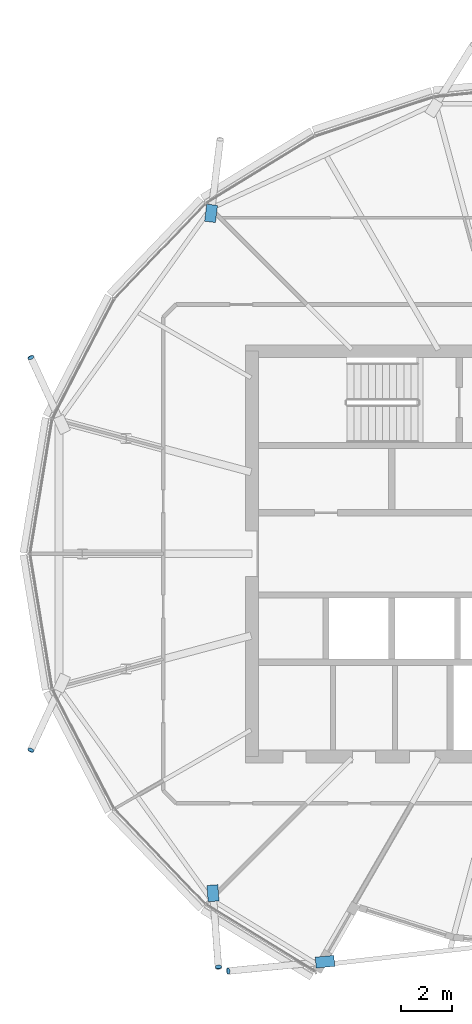
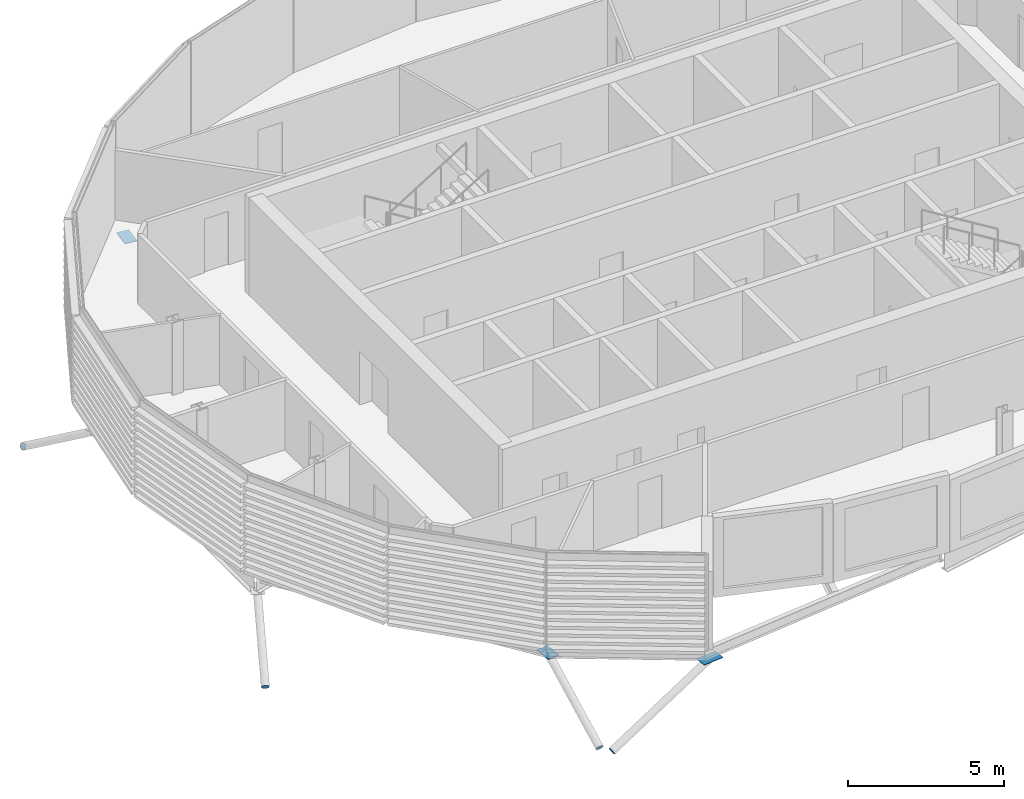
# One storey, part 25 of 35: 7 discrete accessories.
"""IFC4 building model written with IfcOpenShell, lengths in metres."""

import ifcopenshell
import ifcopenshell.guid

model = None  # the IFC model being written
_history = None  # IfcOwnerHistory: only IFC2X3 demands one
_inside = {}  # id of a spatial element -> (the spatial element, [elements in it])
_under = {}  # id of a project, library or spatial element -> (it, [spatial elements below it])
_declared = {}  # id of a project -> (the project, [libraries it declares])
_typed = {}  # id of a type object -> (the type object, [elements of that type])
_made_of = {}  # id of a material, layer set ... -> (it, [elements and type objects made of it])


def new_model(schema):
    """Start an empty IFC model of exactly this schema.

    Asked for "IFC4X3", IfcOpenShell would pick the latest addendum, in which some entities
    have other attributes; the version numbers below select the first issue.
    IFC2X3 requires an IfcOwnerHistory on every rooted entity: one is made here for all.
    """
    global model, _history
    if schema == "IFC4X3":
        model = ifcopenshell.file(schema_version=(4, 3, 0, 0))
    else:
        model = ifcopenshell.file(schema=schema)
    _inside.clear()
    _under.clear()
    _declared.clear()
    _typed.clear()
    _made_of.clear()
    _history = None
    if model.schema == "IFC2X3":
        org = make("IfcOrganization", Name="unknown")
        user = make(
            "IfcPersonAndOrganization",
            ThePerson=make("IfcPerson", FamilyName="unknown"),
            TheOrganization=org,
        )
        app = make(
            "IfcApplication",
            ApplicationDeveloper=org,
            Version="unknown",
            ApplicationFullName="unknown",
            ApplicationIdentifier="unknown",
        )
        _history = make(
            "IfcOwnerHistory",
            OwningUser=user,
            OwningApplication=app,
            ChangeAction="ADDED",
            CreationDate=0,
        )
    return model


def make(cls, **values):
    """One entity of the class cls with the attributes given. An attribute that is None is left unset."""
    return model.create_entity(
        cls, **{name: value for name, value in values.items() if value is not None}
    )


def rooted(cls, **values):
    """An entity with a GlobalId (a new one), such as an element, a storey or a relation."""
    return make(cls, GlobalId=ifcopenshell.guid.new(), OwnerHistory=_history, **values)


def si_unit(unit_type, name, prefix=None):
    """IfcSIUnit, for example si_unit("LENGTHUNIT", "METRE", prefix="MILLI")."""
    return make("IfcSIUnit", UnitType=unit_type, Prefix=prefix, Name=name)


def assignment(units):
    """IfcUnitAssignment: the units of a project."""
    return None if units is None else make("IfcUnitAssignment", Units=units)


def point(xyz):
    """IfcCartesianPoint."""
    return None if xyz is None else make("IfcCartesianPoint", Coordinates=xyz)


def direction(xyz):
    """IfcDirection."""
    return None if xyz is None else make("IfcDirection", DirectionRatios=xyz)


def frame(location, z_axis=None, x_axis=None):
    """IfcAxis2Placement3D, a coordinate frame: its origin and axes. An axis left out is left unset."""
    return make(
        "IfcAxis2Placement3D",
        Location=point(location),
        Axis=direction(z_axis),
        RefDirection=direction(x_axis),
    )


def frame_2d(location, x_axis=None):
    """IfcAxis2Placement2D, a coordinate frame in the plane: its origin and x axis."""
    return make(
        "IfcAxis2Placement2D", Location=point(location), RefDirection=direction(x_axis)
    )


def origin():
    """The frame at (0, 0, 0) with its axes left unset."""
    return frame((0.0, 0.0, 0.0))


def origin_2d():
    """The frame at (0, 0) in the plane with its x axis left unset."""
    return frame_2d((0.0, 0.0))


def place(relative_to, where):
    """IfcLocalPlacement: puts the frame where relative to a parent placement (None: the world)."""
    return make(
        "IfcLocalPlacement", PlacementRelTo=relative_to, RelativePlacement=where
    )


def context(
    kind, dimensions, precision=None, world=None, true_north=None, identifier=None
):
    """IfcGeometricRepresentationContext, for example the 3D "Model" context."""
    return make(
        "IfcGeometricRepresentationContext",
        ContextIdentifier=identifier,
        ContextType=kind,
        CoordinateSpaceDimension=dimensions,
        Precision=precision,
        WorldCoordinateSystem=world,
        TrueNorth=true_north,
    )


def subcontext(parent, identifier, kind, view, scale=None):
    """IfcGeometricRepresentationSubContext, for example "Body" below "Model"."""
    return make(
        "IfcGeometricRepresentationSubContext",
        ContextIdentifier=identifier,
        ContextType=kind,
        ParentContext=parent,
        TargetScale=scale,
        TargetView=view,
    )


def project(units=None, contexts=None):
    """IfcProject with its units and contexts."""
    return rooted(
        "IfcProject",
        Name="project",
        RepresentationContexts=contexts,
        UnitsInContext=assignment(units),
    )


def spatial(cls, under=None, at=None, **own):
    """A site, building, storey or space (cls), placed at a placement, below another one or the project."""
    s = rooted(cls, ObjectPlacement=at, **own)
    if under is not None:
        _under.setdefault(under.id(), (under, []))[1].append(s)
    return s


def polyline(points):
    """IfcPolyline through the points."""
    return make("IfcPolyline", Points=[point(p) for p in points])


def profile(cls, at=None, kind="AREA", **sizes):
    """A parametric profile (cls). Its sizes go by their IFC names, for example OverallWidth=200.0."""
    return make(cls, ProfileType=kind, Position=at, **sizes)


def rectangle(**sizes):
    """IfcRectangleProfileDef."""
    return profile("IfcRectangleProfileDef", **sizes)


def circle(**sizes):
    """IfcCircleProfileDef."""
    return profile("IfcCircleProfileDef", **sizes)


def outline(outer, holes=None, kind="AREA"):
    """IfcArbitraryClosedProfileDef: a profile drawn as a closed curve; with holes, ...WithVoids."""
    if holes is None:
        return make("IfcArbitraryClosedProfileDef", ProfileType=kind, OuterCurve=outer)
    return make(
        "IfcArbitraryProfileDefWithVoids",
        ProfileType=kind,
        OuterCurve=outer,
        InnerCurves=holes,
    )


def extrude(swept, where, along, depth):
    """IfcExtrudedAreaSolid: the profile swept, set in the frame where, extruded along a direction by depth."""
    return make(
        "IfcExtrudedAreaSolid",
        SweptArea=swept,
        Position=where,
        ExtrudedDirection=direction(along),
        Depth=depth,
    )


def shape(context_of_items, identifier, shape_type, items):
    """IfcShapeRepresentation: the items that make up one representation, for example the "Body"."""
    return make(
        "IfcShapeRepresentation",
        ContextOfItems=context_of_items,
        RepresentationIdentifier=identifier,
        RepresentationType=shape_type,
        Items=items,
    )


def material(Name=None, Category=None):
    """IfcMaterial."""
    return make("IfcMaterial", Name=Name, Category=Category)


def material_profile(
    of_material, cross_section, Name=None, Category=None, Priority=None
):
    """IfcMaterialProfile: a cross section and its material."""
    return make(
        "IfcMaterialProfile",
        Name=Name,
        Material=of_material,
        Profile=cross_section,
        Priority=Priority,
        Category=Category,
    )


def profile_set(profiles, Name=None, composite=None):
    """IfcMaterialProfileSet."""
    return make(
        "IfcMaterialProfileSet",
        Name=Name,
        MaterialProfiles=profiles,
        CompositeProfile=composite,
    )


def made_of(thing, what):
    """Note that an element or type object is made of a material, layer set ...; save() writes the relation."""
    if what is not None:
        _made_of.setdefault(what.id(), (what, []))[1].append(thing)
    return thing


def type_object(cls, material=None, **own):
    """A type object (cls), such as IfcWallType, which elements share."""
    return made_of(rooted(cls, **own), material)


def element(
    cls,
    number,
    at=None,
    inside=None,
    cuts=None,
    type_object=None,
    material=None,
    context=None,
    identifier="Body",
    shape_type=None,
    held_by="IfcProductDefinitionShape",
    body=None,
    shapes=None,
    **own,
):
    """One element of the class cls, such as IfcWall. Its Tag is "e" and its number.

    at: its placement. inside: the storey or other place that contains it. cuts: it is an
    opening in that element (IfcRelVoidsElement). A single representation is given by context,
    identifier, shape_type and body (its items); several are given by shapes. held_by: the class
    of the entity that holds the representations. save() writes the other relations.
    """
    e = rooted(cls, Tag="e%d" % number, ObjectPlacement=at, **own)
    if body is not None:
        shapes = [shape(context, identifier, shape_type, body)]
    if shapes is not None:
        e.Representation = make(held_by, Representations=shapes)
    if inside is not None:
        _inside.setdefault(inside.id(), (inside, []))[1].append(e)
    if cuts is not None:
        rooted(
            "IfcRelVoidsElement", RelatingBuildingElement=cuts, RelatedOpeningElement=e
        )
    if type_object is not None:
        _typed.setdefault(type_object.id(), (type_object, []))[1].append(e)
    return made_of(e, material)


def aggregate(whole, parts):
    """IfcRelAggregates: a whole, such as a stair, and the parts it consists of."""
    return rooted("IfcRelAggregates", RelatingObject=whole, RelatedObjects=parts)


def save(model, path):
    """Write the relations noted so far, then the file.

    IfcRelAggregates (storeys below a building ...), IfcRelContainedInSpatialStructure (elements
    in a storey), IfcRelDefinesByType, IfcRelAssociatesMaterial and IfcRelDeclares: one each for
    every whole, place, type object, material and project.
    """
    for whole, parts in _under.values():
        aggregate(whole, parts)
    for where, things in _inside.values():
        rooted(
            "IfcRelContainedInSpatialStructure",
            RelatedElements=things,
            RelatingStructure=where,
        )
    for kind, things in _typed.values():
        rooted("IfcRelDefinesByType", RelatedObjects=things, RelatingType=kind)
    for what, things in _made_of.values():
        rooted("IfcRelAssociatesMaterial", RelatedObjects=things, RelatingMaterial=what)
    for by, libraries in _declared.values():
        rooted("IfcRelDeclares", RelatingContext=by, RelatedDefinitions=libraries)
    model.write(path)


model = new_model("IFC4")

# Units and contexts
model_context = context("Model", 3, precision=1e-05, world=origin(), true_north=direction((0.0, 1.0)))
body_context = subcontext(model_context, "Body", "Model", "MODEL_VIEW")
ifc_project = project(units=[si_unit("LENGTHUNIT", "METRE"), si_unit("AREAUNIT", "SQUARE_METRE"), si_unit("VOLUMEUNIT", "CUBIC_METRE"), si_unit("PLANEANGLEUNIT", "RADIAN"), si_unit("MASSUNIT", "GRAM", prefix="KILO")], contexts=[model_context])

# Site, building, storey
site_placement = place(None, origin())
site = spatial("IfcSite", under=ifc_project, at=site_placement, CompositionType="ELEMENT")
building_placement = place(site_placement, origin())
building = spatial("IfcBuilding", under=site, at=building_placement, Name="Rimbun Link Towers", CompositionType="ELEMENT")
storey_placement = place(building_placement, frame((0.0, 0.0, 229.5)))
storey = spatial("IfcBuildingStorey", under=building, at=storey_placement, Name="L56", CompositionType="ELEMENT", Elevation=229.5)

# Discrete accessories
ifc_material_1 = material(Name="Steel S355J2H", Category="steel")
ifc_material_profile_1 = material_profile(ifc_material_1, circle(Radius=0.1240234375, at=origin_2d()), Name="PL D248")
ifc_profile_set_1 = profile_set([ifc_material_profile_1], Name="Steel S355J2H")
discrete_accessory_type_1 = type_object("IfcDiscreteAccessoryType", Name="Link foot sealing plate D248X20", PredefinedType="BRACKET", material=ifc_profile_set_1)
for number, where, z_axis, x_axis, name in (
    (1, (-52.4794921875, 7.7431640625, -2.79248046875), (-0.355380415225, 0.772033315834, -0.526943374299), (-0.908380936147, -0.418143605528, 0.0), "Link foot sealing plate T1 L56 11"),
    (2, (-52.4794921875, -7.7431640625, -2.79248046875), (-0.355380415225, -0.772033315834, -0.526943374299), (0.908380936147, -0.418143605528, 0.0), "Link foot sealing plate T1 L56 13"),
    (3, (-45.0791015625, -16.302490234375, -2.554443359375), (0.060790554368, -0.826751539405, -0.559273100186), (0.99730762529, 0.073331443036, 0.0), "Link foot sealing plate T1 L56 15"),
):
    element("IfcDiscreteAccessory", number, at=place(storey_placement, frame(where, z_axis=z_axis, x_axis=x_axis)), inside=storey, type_object=discrete_accessory_type_1, Name=name, PredefinedType="BRACKET", context=body_context, shape_type="SweptSolid", body=[
        extrude(circle(Radius=0.1240234375, at=origin_2d()), origin(), (0.0, 0.0, 1.0), 0.02001953125),
    ])
discrete_accessory_1_placement = place(storey_placement, frame((-44.685546875, -16.46826171875, -2.74462890625), z_axis=(-0.873222203733, -0.086092329946, -0.479657266839), x_axis=(0.098115845086, -0.99517500016, 0.0)))
element("IfcDiscreteAccessory", 4, at=discrete_accessory_1_placement, inside=storey, type_object=discrete_accessory_type_1, Name="Link foot sealing plate T1 L56 16", PredefinedType="BRACKET", context=body_context, shape_type="SweptSolid", body=[
    extrude(circle(Radius=0.1240234375, at=origin_2d()), origin(), (0.0, 0.0, 1.0), 0.019775390625),
])
ifc_material_2 = material(Name="Steel S355J2H", Category="steel")
ifc_material_profile_2 = material_profile(ifc_material_2, rectangle(XDim=0.43310546875, YDim=0.43310546875, at=origin_2d()), Name="PL 433x433")
ifc_profile_set_2 = profile_set([ifc_material_profile_2], Name="Steel S355J2H")
discrete_accessory_type_2 = type_object("IfcDiscreteAccessoryType", Name="Link head end plate 433X20", PredefinedType="BRACKET", material=ifc_profile_set_2)
discrete_accessory_2_placement = place(storey_placement, frame((0.0, 0.0, -0.56640625)))
element("IfcDiscreteAccessory", 5, at=discrete_accessory_2_placement, inside=storey, type_object=discrete_accessory_type_2, Name="Link head end plate T1 L56 09", PredefinedType="BRACKET", context=body_context, shape_type="SweptSolid", body=[
    extrude(outline(polyline([(-45.194091796875, 13.07861328125), (-45.1103515625, 13.75390625), (-45.5400390625, 13.80712890625), (-45.623779296875, 13.1318359375), (-45.194091796875, 13.07861328125)])), origin(), (0.0, 0.0, 1.0), 0.02001953125),
])
discrete_accessory_3_placement = place(storey_placement, frame((0.0, 0.0, -0.56640625)))
element("IfcDiscreteAccessory", 6, at=discrete_accessory_3_placement, inside=storey, type_object=discrete_accessory_type_2, Name="Link head end plate T1 L56 15", PredefinedType="BRACKET", context=body_context, shape_type="SweptSolid", body=[
    extrude(outline(polyline([(-45.531982421875, -13.09130859375), (-45.48486328125, -13.73388671875), (-45.052978515625, -13.702392578125), (-45.10009765625, -13.059814453125), (-45.531982421875, -13.09130859375)])), origin(), (0.0, 0.0, 1.0), 0.02001953125),
])
discrete_accessory_4_placement = place(storey_placement, frame((0.0, 0.0, -0.693115234375)))
element("IfcDiscreteAccessory", 7, at=discrete_accessory_4_placement, inside=storey, type_object=discrete_accessory_type_2, Name="Link head end plate T1 L56 16", PredefinedType="BRACKET", context=body_context, shape_type="SweptSolid", body=[
    extrude(outline(polyline([(-40.52197265625, -15.8505859375), (-41.25732421875, -15.92138671875), (-41.2158203125, -16.352294921875), (-40.480712890625, -16.281494140625), (-40.52197265625, -15.8505859375)])), origin(), (0.0, 0.0, 1.0), 0.02001953125),
])

save(model, "model.ifc")
